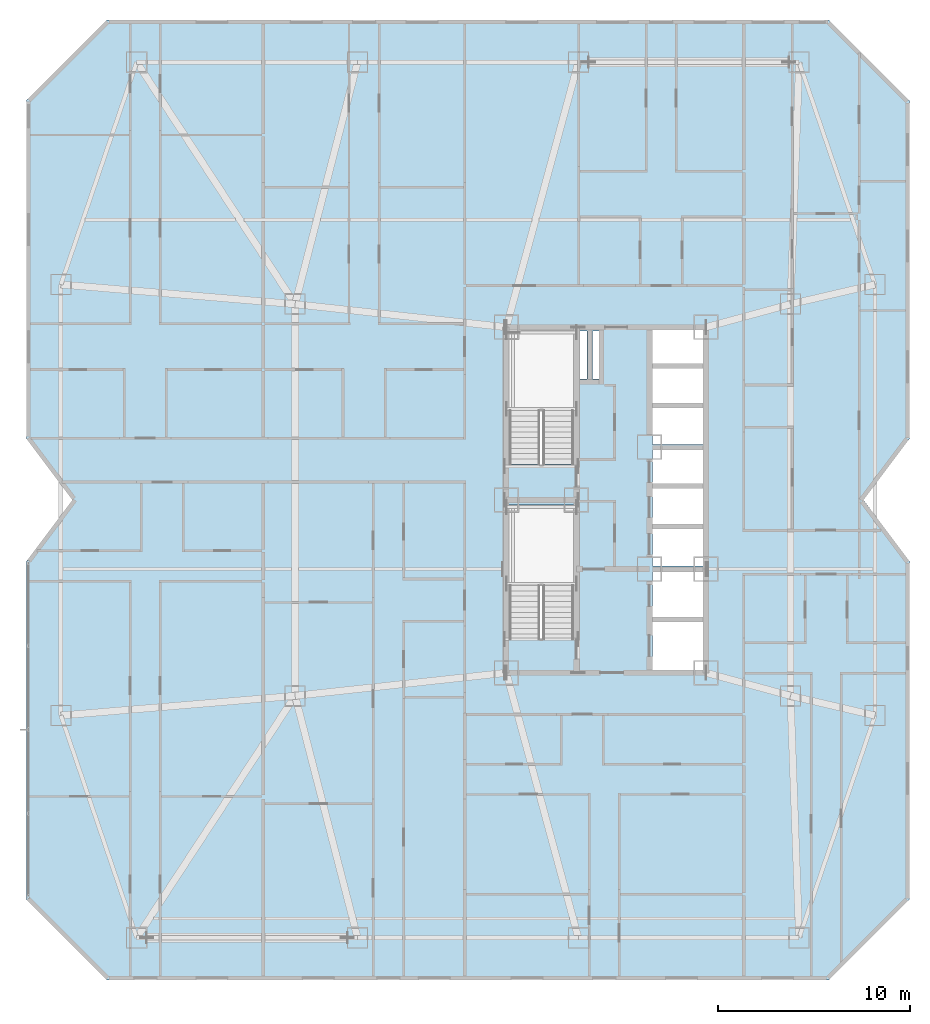
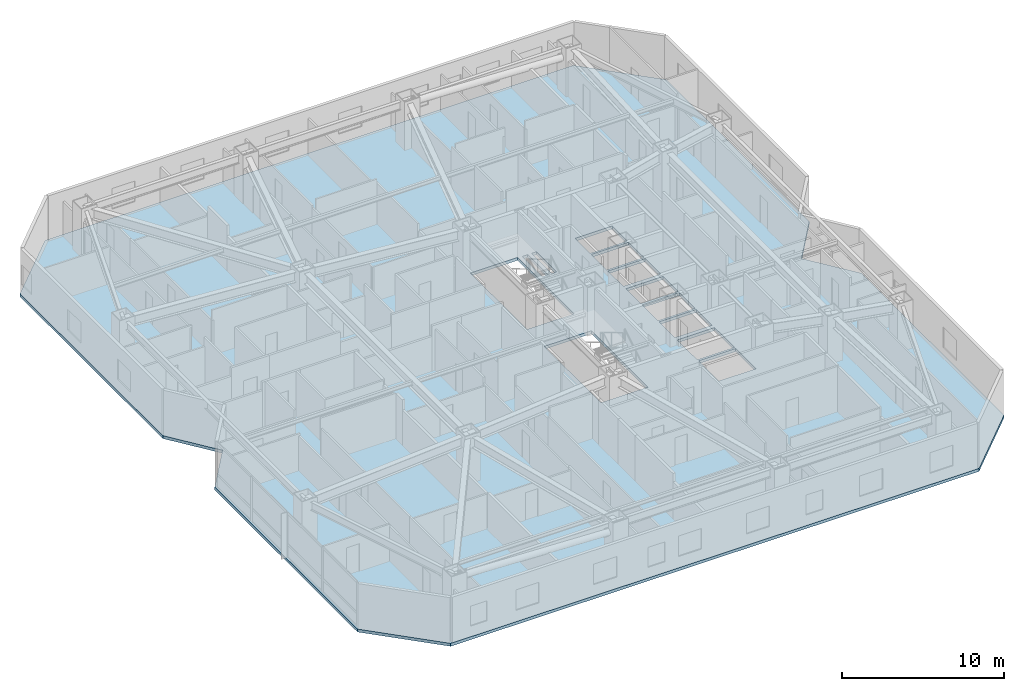
# One storey, part 8 of 18: 1 slab.
"""IFC4 building model written with IfcOpenShell, lengths in metres."""

from ifc_helpers import new_model, si_unit, direction, frame, origin, place, context, subcontext, project, spatial, polyline, outline, extrude, material, layer, layer_set, type_object, element, save


model = new_model("IFC4")

# Units and contexts
model_context = context("Model", 3, precision=1e-05, world=origin(), true_north=direction((0.0, 1.0)))
body_context = subcontext(model_context, "Body", "Model", "MODEL_VIEW")
ifc_project = project(units=[si_unit("LENGTHUNIT", "METRE"), si_unit("AREAUNIT", "SQUARE_METRE"), si_unit("VOLUMEUNIT", "CUBIC_METRE"), si_unit("PLANEANGLEUNIT", "RADIAN"), si_unit("MASSUNIT", "GRAM", prefix="KILO")], contexts=[model_context])

# Site, building, storey
site_placement = place(None, origin())
site = spatial("IfcSite", under=ifc_project, at=site_placement, CompositionType="ELEMENT")
building_placement = place(site_placement, origin())
building = spatial("IfcBuilding", under=site, at=building_placement, Name="Khamvora Tower", CompositionType="ELEMENT")
storey_placement = place(building_placement, frame((0.0, 0.0, 69.800048828125)))
storey = spatial("IfcBuildingStorey", under=building, at=storey_placement, Name="L17", CompositionType="ELEMENT", Elevation=69.800048828125)

# Slab
ifc_material = material(Name="Concrete C35/45", Category="concrete")
ifc_layer = layer(ifc_material, 0.219970703125)
ifc_layer_set = layer_set([ifc_layer], Name="Concrete C35/45")
slab_type = type_object("IfcSlabType", Name="SLB-TYP-220", PredefinedType="FLOOR", material=ifc_layer_set)
slab_placement = place(storey_placement, frame((0.0, 0.0, -0.219970703125)))
element("IfcSlab", 1, at=slab_placement, inside=storey, type_object=slab_type, Name="L17 structural floor slab", PredefinedType="FLOOR", context=body_context, shape_type="SweptSolid", body=[
    extrude(outline(polyline([(8.199951171875, 3.0), (45.800048828125, 3.0), (50.0, 7.199951171875), (50.0, 24.800048828125), (47.60009765625, 28.0), (50.0, 31.199951171875), (50.0, 48.800048828125), (45.800048828125, 53.0), (8.199951171875, 53.0), (4.0, 48.800048828125), (4.0, 31.199951171875), (6.39990234375, 28.0), (4.0, 24.800048828125), (4.0, 7.199951171875), (8.199951171875, 3.0)]), holes=[polyline([(32.5, 20.760009765625), (32.5, 27.75), (29.14990234375, 27.75), (29.14990234375, 20.760009765625), (32.5, 20.760009765625)]), polyline([(32.5, 29.860107421875), (32.5, 36.85009765625), (29.14990234375, 36.85009765625), (29.14990234375, 29.860107421875), (32.5, 29.860107421875)]), polyline([(36.60009765625, 19.14990234375), (39.25, 19.14990234375), (39.25, 21.64990234375), (36.60009765625, 21.64990234375), (36.60009765625, 19.14990234375)]), polyline([(36.60009765625, 21.800048828125), (39.25, 21.800048828125), (39.25, 24.25), (36.60009765625, 24.25), (36.60009765625, 21.800048828125)]), polyline([(36.60009765625, 24.550048828125), (39.25, 24.550048828125), (39.25, 26.5), (36.60009765625, 26.5), (36.60009765625, 24.550048828125)]), polyline([(36.60009765625, 26.64990234375), (39.25, 26.64990234375), (39.25, 28.60009765625), (36.60009765625, 28.60009765625), (36.60009765625, 26.64990234375)]), polyline([(36.60009765625, 28.75), (39.25, 28.75), (39.25, 30.60009765625), (36.60009765625, 30.60009765625), (36.60009765625, 28.75)]), polyline([(36.60009765625, 30.89990234375), (39.25, 30.89990234375), (39.25, 32.800048828125), (36.60009765625, 32.800048828125), (36.60009765625, 30.89990234375)]), polyline([(36.60009765625, 32.949951171875), (39.25, 32.949951171875), (39.25, 34.85009765625), (36.60009765625, 34.85009765625), (36.60009765625, 32.949951171875)]), polyline([(36.60009765625, 35.0), (39.25, 35.0), (39.25, 36.85009765625), (36.60009765625, 36.85009765625), (36.60009765625, 35.0)]), polyline([(32.800048828125, 34.300048828125), (33.199951171875, 34.300048828125), (33.199951171875, 36.800048828125), (32.800048828125, 36.800048828125), (32.800048828125, 34.300048828125)]), polyline([(33.47998046875, 34.300048828125), (33.820068359375, 34.300048828125), (33.820068359375, 36.800048828125), (33.47998046875, 36.800048828125), (33.47998046875, 34.300048828125)])]), origin(), (0.0, 0.0, 1.0), 0.219970703125),
])

save(model, "model.ifc")
